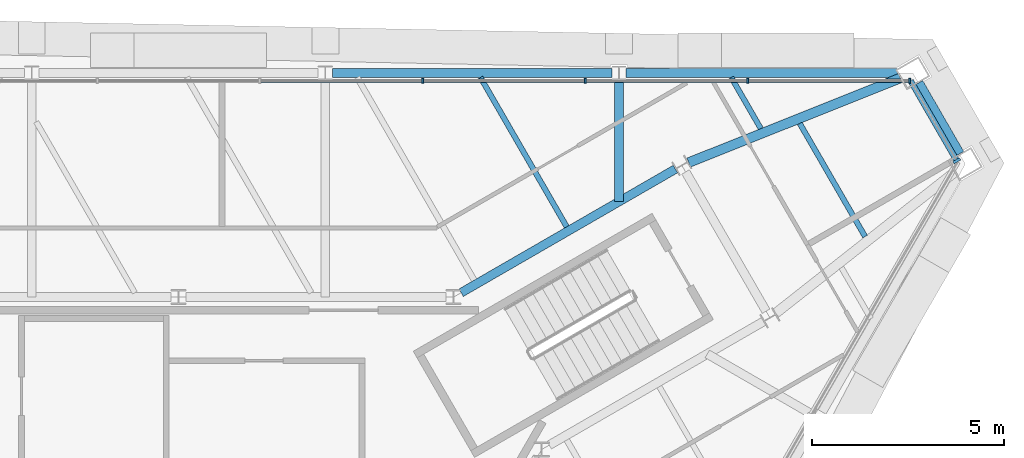
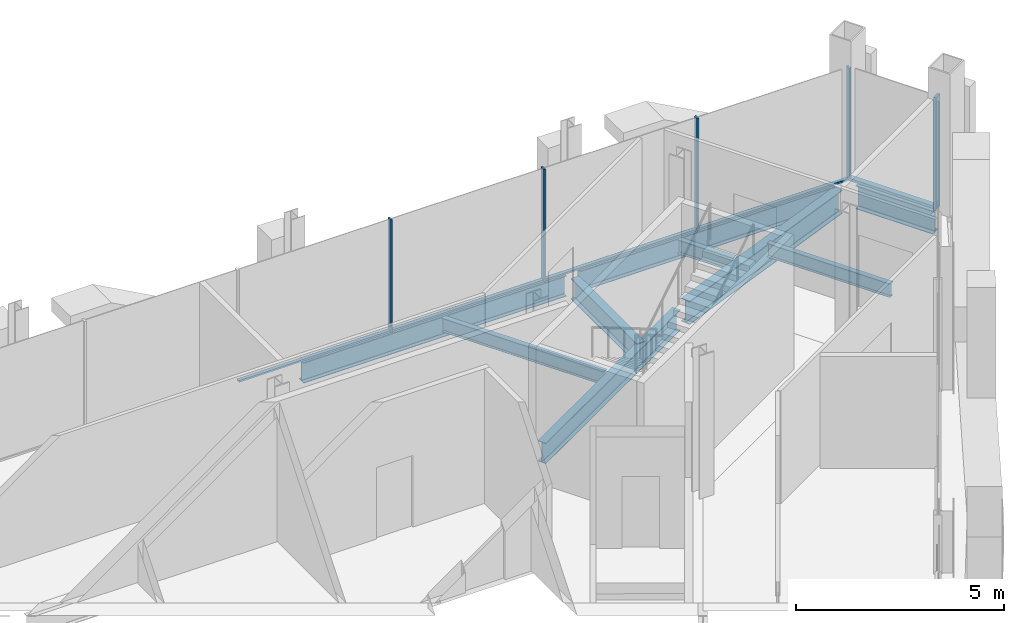
# One storey, part 7 of 13: 10 members, 9 beams, 2 elements without a shape of their own.
"""IFC4 building model written with IfcOpenShell, lengths in metres."""

from ifc_helpers import new_model, si_unit, direction, frame, origin, origin_2d, place, context, subcontext, project, spatial, rectangle, i_section, extrude, material, material_profile, profile_set, type_object, element, aggregate, save


model = new_model("IFC4")

# Units and contexts
model_context = context("Model", 3, precision=1e-05, world=origin(), true_north=direction((0.0, 1.0)))
body_context = subcontext(model_context, "Body", "Model", "MODEL_VIEW")
ifc_project = project(units=[si_unit("LENGTHUNIT", "METRE"), si_unit("AREAUNIT", "SQUARE_METRE"), si_unit("VOLUMEUNIT", "CUBIC_METRE"), si_unit("PLANEANGLEUNIT", "RADIAN"), si_unit("MASSUNIT", "GRAM", prefix="KILO")], contexts=[model_context])

# Site, building, storey
site_placement = place(None, origin())
site = spatial("IfcSite", under=ifc_project, at=site_placement, CompositionType="ELEMENT")
building_placement = place(site_placement, origin())
building = spatial("IfcBuilding", under=site, at=building_placement, Name="Verrane Prism Tower", CompositionType="ELEMENT")
storey_placement = place(building_placement, frame((0.0, 0.0, 312.60009765625)))
storey = spatial("IfcBuildingStorey", under=building, at=storey_placement, Name="L79", CompositionType="ELEMENT", Elevation=312.60009765625)

# Beams
ifc_material_1 = material(Name="Steel A992", Category="steel")
ifc_material_profile_1 = material_profile(ifc_material_1, i_section(OverallWidth=0.25390625, OverallDepth=0.683349609375, WebThickness=0.012451171875, FlangeThickness=0.01904296875, FilletRadius=0.01513671875, at=origin_2d()), Name="W27x94")
ifc_profile_set_1 = profile_set([ifc_material_profile_1], Name="Steel A992")
beam_type_1 = type_object("IfcBeamType", Name="Chamfer spandrel beam W27x94", PredefinedType="SPANDREL", material=ifc_profile_set_1)
beam_1_placement = place(storey_placement, frame((20.389892578125, 10.539794921875, -0.501708984375), z_axis=(-0.500486898547, 0.865744110221, 0.0), x_axis=(-0.865744110221, -0.500486898547, 0.0)))
element("IfcBeam", 1, at=beam_1_placement, inside=storey, type_object=beam_type_1, Name="Chamfer spandrel beam L79", PredefinedType="SPANDREL", context=body_context, shape_type="SweptSolid", body=[
    extrude(i_section(OverallWidth=0.25390625, OverallDepth=0.683349609375, WebThickness=0.012451171875, FlangeThickness=0.01904296875, FilletRadius=0.01513671875, at=origin_2d()), origin(), (0.0, 0.0, 1.0), 2.137451171875),
])
ifc_material_2 = material(Name="Steel A992", Category="steel")
ifc_material_profile_2 = material_profile(ifc_material_2, i_section(OverallWidth=0.228271484375, OverallDepth=0.607177734375, WebThickness=0.01123046875, FlangeThickness=0.017333984375, FilletRadius=0.0126953125, at=origin_2d()), Name="W24x76")
ifc_profile_set_2 = profile_set([ifc_material_profile_2], Name="Steel A992")
beam_type_2 = type_object("IfcBeamType", Name="Core ring girder W24x76", PredefinedType="BEAM", material=ifc_profile_set_2)
beam_2_placement = place(storey_placement, frame((12.972900390625, 10.1435546875, -0.5537109375), z_axis=(-0.866085504117, -0.499895888719, 0.0), x_axis=(0.499895888719, -0.866085504117, 0.0)))
element("IfcBeam", 2, at=beam_2_placement, inside=storey, type_object=beam_type_2, Name="Core ring girder L79", PredefinedType="BEAM", context=body_context, shape_type="SweptSolid", body=[
    extrude(i_section(OverallWidth=0.228271484375, OverallDepth=0.607177734375, WebThickness=0.01123046875, FlangeThickness=0.017333984375, FilletRadius=0.0126953125, at=origin_2d()), origin(), (0.0, 0.0, 1.0), 6.45849609375),
])
ifc_material_3 = material(Name="Steel A992", Category="steel")
ifc_material_profile_3 = material_profile(ifc_material_3, i_section(OverallWidth=0.25390625, OverallDepth=0.683349609375, WebThickness=0.012451171875, FlangeThickness=0.01904296875, FilletRadius=0.01513671875, at=origin_2d()), Name="W27x94")
ifc_profile_set_3 = profile_set([ifc_material_profile_3], Name="Steel A992")
beam_type_3 = type_object("IfcBeamType", Name="Corner girder W27x94", PredefinedType="BEAM", material=ifc_profile_set_3)
beam_3_placement = place(storey_placement, frame((18.841552734375, 12.518798828125, -0.561767578125), z_axis=(-0.928587103525, -0.371114525675, 0.0), x_axis=(0.371114525675, -0.928587103525, 0.0)))
element("IfcBeam", 3, at=beam_3_placement, inside=storey, type_object=beam_type_3, Name="Corner girder L79", PredefinedType="BEAM", context=body_context, shape_type="SweptSolid", body=[
    extrude(i_section(OverallWidth=0.25390625, OverallDepth=0.683349609375, WebThickness=0.012451171875, FlangeThickness=0.01904296875, FilletRadius=0.01513671875, at=origin_2d()), origin(), (0.0, 0.0, 1.0), 5.945068359375),
])
ifc_material_4 = material(Name="Steel A992", Category="steel")
ifc_material_profile_4 = material_profile(ifc_material_4, i_section(OverallWidth=0.140380859375, OverallDepth=0.40380859375, WebThickness=0.007080078125, FlangeThickness=0.01123046875, FilletRadius=0.01025390625, at=origin_2d()), Name="W16x31")
ifc_profile_set_4 = profile_set([ifc_material_profile_4], Name="Steel A992")
beam_type_4 = type_object("IfcBeamType", Name="Floor beam W16x31", PredefinedType="BEAM", material=ifc_profile_set_4)
beam_4_placement = place(storey_placement, frame((15.201904296875, 11.20068359375, -0.362060546875), z_axis=(-0.50005597947, 0.86599308161, 0.0), x_axis=(-0.86599308161, -0.50005597947, 0.0)))
element("IfcBeam", 4, at=beam_4_placement, inside=storey, type_object=beam_type_4, Name="Floor beam L79", PredefinedType="BEAM", context=body_context, shape_type="SweptSolid", body=[
    extrude(i_section(OverallWidth=0.140380859375, OverallDepth=0.40380859375, WebThickness=0.007080078125, FlangeThickness=0.01123046875, FilletRadius=0.01025390625, at=origin_2d()), origin(), (0.0, 0.0, 1.0), 1.541748046875),
])
beam_5_placement = place(storey_placement, frame((10.135498046875, 8.635009765625, -0.362060546875), z_axis=(-0.500003959331, 0.866023117852, 0.0), x_axis=(-0.866023117852, -0.500003959331, 0.0)))
element("IfcBeam", 5, at=beam_5_placement, inside=storey, type_object=beam_type_4, Name="Floor beam L79", PredefinedType="BEAM", context=body_context, shape_type="SweptSolid", body=[
    extrude(i_section(OverallWidth=0.140380859375, OverallDepth=0.40380859375, WebThickness=0.007080078125, FlangeThickness=0.01123046875, FilletRadius=0.01025390625, at=origin_2d()), origin(), (0.0, 0.0, 1.0), 4.50439453125),
])
beam_6_placement = place(storey_placement, frame((17.925048828125, 8.380615234375, -0.362060546875), z_axis=(-0.500042619005, 0.866000796292, 0.0), x_axis=(-0.866000796292, -0.500042619005, 0.0)))
element("IfcBeam", 6, at=beam_6_placement, inside=storey, type_object=beam_type_4, Name="Floor beam L79", PredefinedType="BEAM", context=body_context, shape_type="SweptSolid", body=[
    extrude(i_section(OverallWidth=0.140380859375, OverallDepth=0.40380859375, WebThickness=0.007080078125, FlangeThickness=0.01123046875, FilletRadius=0.01025390625, at=origin_2d()), origin(), (0.0, 0.0, 1.0), 3.410400390625),
])

# Curtain wall, members
ifc_material_5 = material(Name="Aluminium framed insulated glazing", Category="aluminium")
curtain_wall_type_1 = type_object("IfcCurtainWallType", Name="Curtain wall CW-C 4200 module", PredefinedType="NOTDEFINED", material=ifc_material_5)
curtain_wall_1_placement = place(storey_placement, origin())
curtain_wall_1 = element("IfcCurtainWall", 7, at=curtain_wall_1_placement, inside=storey, type_object=curtain_wall_type_1, Name="Glazed curtain wall north face L79", PredefinedType="NOTDEFINED")
ifc_material_6 = material(Name="Aluminium alloy 6063-T6", Category="aluminium")
ifc_material_profile_5 = material_profile(ifc_material_6, rectangle(XDim=0.139892578125, YDim=0.050048828125, at=origin_2d()), Name="Mullion 50x140 aluminium")
ifc_profile_set_5 = profile_set([ifc_material_profile_5], Name="Aluminium alloy 6063-T6")
member_type_1 = type_object("IfcMemberType", Name="Mullion 50x140 aluminium", PredefinedType="MULLION", material=ifc_profile_set_5)
member_1_placement = place(storey_placement, frame((19.089111328125, 12.447265625, 0.0), z_axis=(0.0, 0.0, 1.0), x_axis=(0.0, -1.0, 0.0)))
member_1 = element("IfcMember", 8, at=member_1_placement, type_object=member_type_1, Name="CW79.2 mullion 1", PredefinedType="MULLION", context=body_context, shape_type="SweptSolid", body=[
    extrude(rectangle(XDim=0.139892578125, YDim=0.050048828125, at=origin_2d()), origin(), (0.0, 0.0, 1.0), 3.296630859375),
])
member_2_placement = place(storey_placement, frame((14.866455078125, 12.447265625, 0.0), z_axis=(0.0, 0.0, 1.0), x_axis=(0.0, -1.0, 0.0)))
member_2 = element("IfcMember", 9, at=member_2_placement, type_object=member_type_1, Name="CW79.2 mullion 2", PredefinedType="MULLION", context=body_context, shape_type="SweptSolid", body=[
    extrude(rectangle(XDim=0.139892578125, YDim=0.050048828125, at=origin_2d()), origin(), (0.0, 0.0, 1.0), 3.296630859375),
])
member_3_placement = place(storey_placement, frame((10.618896484375, 12.447265625, 0.0), z_axis=(0.0, 0.0, 1.0), x_axis=(0.0, -1.0, 0.0)))
member_3 = element("IfcMember", 10, at=member_3_placement, type_object=member_type_1, Name="CW79.2 mullion 3", PredefinedType="MULLION", context=body_context, shape_type="SweptSolid", body=[
    extrude(rectangle(XDim=0.139892578125, YDim=0.050048828125, at=origin_2d()), origin(), (0.0, 0.0, 1.0), 3.296630859375),
])
member_4_placement = place(storey_placement, frame((6.371337890625, 12.447265625, 0.0), z_axis=(0.0, 0.0, 1.0), x_axis=(0.0, -1.0, 0.0)))
member_4 = element("IfcMember", 11, at=member_4_placement, type_object=member_type_1, Name="CW79.2 mullion 4", PredefinedType="MULLION", context=body_context, shape_type="SweptSolid", body=[
    extrude(rectangle(XDim=0.139892578125, YDim=0.050048828125, at=origin_2d()), origin(), (0.0, 0.0, 1.0), 3.296630859375),
])

# Curtain wall, member
ifc_material_7 = material(Name="Aluminium framed insulated glazing", Category="aluminium")
curtain_wall_type_2 = type_object("IfcCurtainWallType", Name="Curtain wall CW-A 8400 module", PredefinedType="NOTDEFINED", material=ifc_material_7)
curtain_wall_2_placement = place(storey_placement, origin())
curtain_wall_2 = element("IfcCurtainWall", 12, at=curtain_wall_2_placement, inside=storey, type_object=curtain_wall_type_2, Name="Glazed curtain wall north-east corner L79", PredefinedType="NOTDEFINED")
ifc_material_8 = material(Name="Aluminium alloy 6063-T6", Category="aluminium")
ifc_material_profile_6 = material_profile(ifc_material_8, rectangle(XDim=0.199951171875, YDim=0.070068359375, at=origin_2d()), Name="Mullion 70x200 aluminium")
ifc_profile_set_6 = profile_set([ifc_material_profile_6], Name="Aluminium alloy 6063-T6")
member_type_2 = type_object("IfcMemberType", Name="Mullion 70x200 aluminium", PredefinedType="MULLION", material=ifc_profile_set_6)
member_5_placement = place(storey_placement, frame((20.319091796875, 10.35986328125, 0.0), z_axis=(0.0, 0.0, 1.0), x_axis=(-0.866024860131, -0.500000941634, 0.0)))
member_5 = element("IfcMember", 13, at=member_5_placement, type_object=member_type_2, Name="CW79.1 mullion 1", PredefinedType="MULLION", context=body_context, shape_type="SweptSolid", body=[
    extrude(rectangle(XDim=0.199951171875, YDim=0.070068359375, at=origin_2d()), origin(), (0.0, 0.0, 1.0), 3.296630859375),
])

# Beams
ifc_material_9 = material(Name="Steel A992", Category="steel")
ifc_material_profile_7 = material_profile(ifc_material_9, i_section(OverallWidth=0.228271484375, OverallDepth=0.607177734375, WebThickness=0.01123046875, FlangeThickness=0.017333984375, FilletRadius=0.0126953125, at=origin_2d()), Name="W24x76")
ifc_profile_set_7 = profile_set([ifc_material_profile_7], Name="Steel A992")
beam_type_5 = type_object("IfcBeamType", Name="Radial girder W24x76", PredefinedType="BEAM", material=ifc_profile_set_7)
beam_7_placement = place(storey_placement, frame((11.5, 12.4658203125, -0.523681640625), z_axis=(0.0, -1.0, 0.0), x_axis=(1.0, 0.0, 0.0)))
element("IfcBeam", 14, at=beam_7_placement, inside=storey, type_object=beam_type_5, Name="Radial girder L79", PredefinedType="BEAM", context=body_context, shape_type="SweptSolid", body=[
    extrude(i_section(OverallWidth=0.228271484375, OverallDepth=0.607177734375, WebThickness=0.01123046875, FlangeThickness=0.017333984375, FilletRadius=0.0126953125, at=origin_2d()), origin(), (0.0, 0.0, 1.0), 3.17236328125),
])
ifc_material_10 = material(Name="Steel A992", Category="steel")
ifc_material_profile_8 = material_profile(ifc_material_10, i_section(OverallWidth=0.228271484375, OverallDepth=0.607177734375, WebThickness=0.01123046875, FlangeThickness=0.017333984375, FilletRadius=0.0126953125, at=origin_2d()), Name="W24x76")
ifc_profile_set_8 = profile_set([ifc_material_profile_8], Name="Steel A992")
beam_type_6 = type_object("IfcBeamType", Name="Spandrel beam W24x76", PredefinedType="SPANDREL", material=ifc_profile_set_8)
beam_8_placement = place(storey_placement, frame((18.765869140625, 12.64990234375, -0.463623046875), z_axis=(-1.0, 0.0, 0.0), x_axis=(0.0, -1.0, 0.0)))
element("IfcBeam", 15, at=beam_8_placement, inside=storey, type_object=beam_type_6, Name="Spandrel beam L79", PredefinedType="SPANDREL", context=body_context, shape_type="SweptSolid", body=[
    extrude(i_section(OverallWidth=0.228271484375, OverallDepth=0.607177734375, WebThickness=0.01123046875, FlangeThickness=0.017333984375, FilletRadius=0.0126953125, at=origin_2d()), origin(), (0.0, 0.0, 1.0), 7.0791015625),
])
beam_9_placement = place(storey_placement, frame((11.313232421875, 12.64990234375, -0.463623046875), z_axis=(-1.0, 0.0, 0.0), x_axis=(0.0, -1.0, 0.0)))
element("IfcBeam", 16, at=beam_9_placement, inside=storey, type_object=beam_type_6, Name="Spandrel beam L79", PredefinedType="SPANDREL", context=body_context, shape_type="SweptSolid", body=[
    extrude(i_section(OverallWidth=0.228271484375, OverallDepth=0.607177734375, WebThickness=0.01123046875, FlangeThickness=0.017333984375, FilletRadius=0.0126953125, at=origin_2d()), origin(), (0.0, 0.0, 1.0), 7.296630859375),
])

# Member
ifc_material_11 = material(Name="Aluminium alloy 6063-T6", Category="aluminium")
ifc_material_profile_9 = material_profile(ifc_material_11, rectangle(XDim=0.10009765625, YDim=0.050048828125, at=origin_2d()), Name="Transom 50x100 aluminium")
ifc_profile_set_9 = profile_set([ifc_material_profile_9], Name="Aluminium alloy 6063-T6")
member_type_3 = type_object("IfcMemberType", Name="Transom 50x100 aluminium", PredefinedType="USERDEFINED", material=ifc_profile_set_9)
member_6_placement = place(storey_placement, frame((19.06396484375, 12.447265625, 0.02490234375), z_axis=(-1.0, 0.0, 0.0), x_axis=(0.0, -1.0, 0.0)))
member_6 = element("IfcMember", 17, at=member_6_placement, type_object=member_type_3, Name="CW79.2 transom 1", ObjectType="TRANSOM", PredefinedType="USERDEFINED", context=body_context, shape_type="SweptSolid", body=[
    extrude(rectangle(XDim=0.10009765625, YDim=0.050048828125, at=origin_2d()), origin(), (0.0, 0.0, 1.0), 4.172607421875),
])

member_7_placement = place(storey_placement, frame((14.841552734375, 12.447265625, 0.02490234375), z_axis=(-1.0, 0.0, 0.0), x_axis=(0.0, -1.0, 0.0)))
member_7 = element("IfcMember", 18, at=member_7_placement, type_object=member_type_3, Name="CW79.2 transom 2", ObjectType="TRANSOM", PredefinedType="USERDEFINED", context=body_context, shape_type="SweptSolid", body=[
    extrude(rectangle(XDim=0.10009765625, YDim=0.050048828125, at=origin_2d()), origin(), (0.0, 0.0, 1.0), 4.19775390625),
])

member_8_placement = place(storey_placement, frame((10.593994140625, 12.447265625, 0.02490234375), z_axis=(-1.0, 0.0, 0.0), x_axis=(0.0, -1.0, 0.0)))
member_8 = element("IfcMember", 19, at=member_8_placement, type_object=member_type_3, Name="CW79.2 transom 3", ObjectType="TRANSOM", PredefinedType="USERDEFINED", context=body_context, shape_type="SweptSolid", body=[
    extrude(rectangle(XDim=0.10009765625, YDim=0.050048828125, at=origin_2d()), origin(), (0.0, 0.0, 1.0), 4.19775390625),
])

member_9_placement = place(storey_placement, frame((6.346435546875, 12.447265625, 0.02490234375), z_axis=(-1.0, 0.0, 0.0), x_axis=(0.0, -1.0, 0.0)))
member_9 = element("IfcMember", 20, at=member_9_placement, type_object=member_type_3, Name="CW79.2 transom 4", ObjectType="TRANSOM", PredefinedType="USERDEFINED", context=body_context, shape_type="SweptSolid", body=[
    extrude(rectangle(XDim=0.10009765625, YDim=0.050048828125, at=origin_2d()), origin(), (0.0, 0.0, 1.0), 4.19775390625),
])

aggregate(curtain_wall_1, [member_1, member_2, member_3, member_4, member_6, member_7, member_8, member_9])

ifc_material_12 = material(Name="Aluminium alloy 6063-T6", Category="aluminium")
ifc_material_profile_10 = material_profile(ifc_material_12, rectangle(XDim=0.14990234375, YDim=0.070068359375, at=origin_2d()), Name="Transom 70x150 aluminium")
ifc_profile_set_10 = profile_set([ifc_material_profile_10], Name="Aluminium alloy 6063-T6")
member_type_4 = type_object("IfcMemberType", Name="Transom 70x150 aluminium", PredefinedType="USERDEFINED", material=ifc_profile_set_10)
member_10_placement = place(storey_placement, frame((20.301513671875, 10.39013671875, 0.034912109375), z_axis=(-0.499941923165, 0.866058931864, 0.0), x_axis=(-0.866058931864, -0.499941923165, 0.0)))
member_10 = element("IfcMember", 21, at=member_10_placement, type_object=member_type_4, Name="CW79.1 transom 1", ObjectType="TRANSOM", PredefinedType="USERDEFINED", context=body_context, shape_type="SweptSolid", body=[
    extrude(rectangle(XDim=0.14990234375, YDim=0.070068359375, at=origin_2d()), origin(), (0.0, 0.0, 1.0), 2.375244140625),
])

aggregate(curtain_wall_2, [member_5, member_10])

save(model, "model.ifc")
